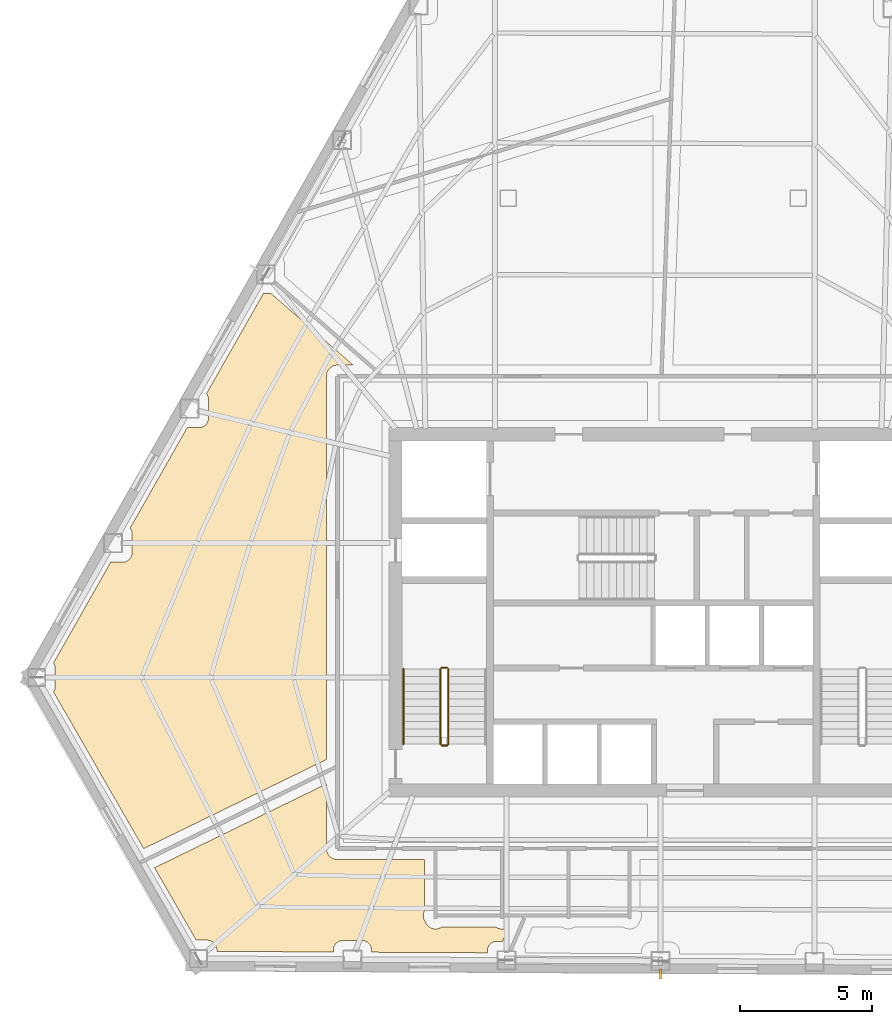
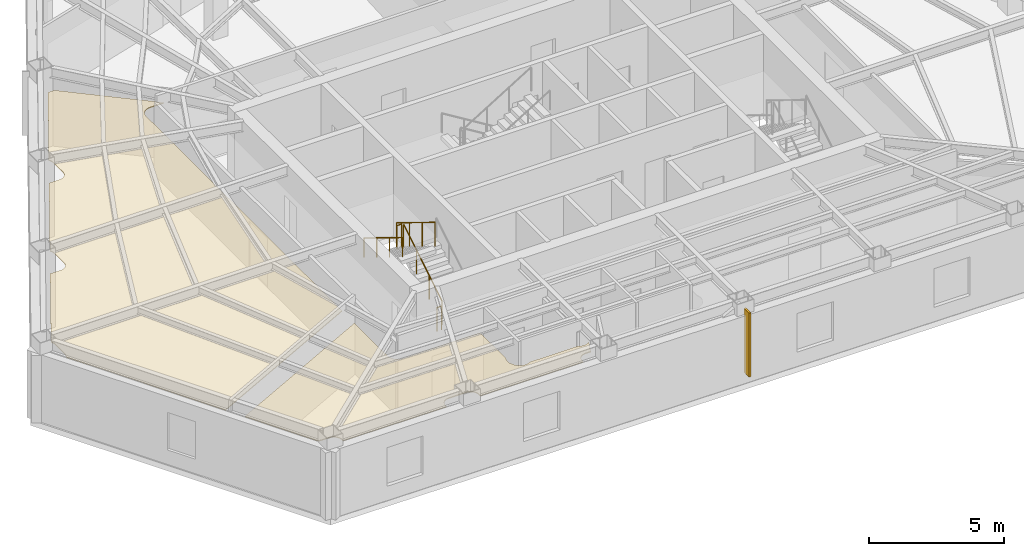
# One storey, part 10 of 12: 5 railings, 2 coverings, 1 shading device.
"""IFC4 building model written with IfcOpenShell, lengths in metres."""

from ifc_helpers import new_model, si_unit, direction, frame, origin, origin_2d, place, context, subcontext, project, spatial, polyline, rectangle, circle, outline, extrude, material, layer, layer_set, type_object, element, save


model = new_model("IFC4")

# Units and contexts
model_context = context("Model", 3, precision=1e-05, world=origin(), true_north=direction((0.0, 1.0)))
body_context = subcontext(model_context, "Body", "Model", "MODEL_VIEW")
ifc_project = project(units=[si_unit("LENGTHUNIT", "METRE"), si_unit("AREAUNIT", "SQUARE_METRE"), si_unit("VOLUMEUNIT", "CUBIC_METRE"), si_unit("PLANEANGLEUNIT", "RADIAN"), si_unit("MASSUNIT", "GRAM", prefix="KILO")], contexts=[model_context])

# Site, building, storey
site_placement = place(None, origin())
site = spatial("IfcSite", under=ifc_project, at=site_placement, CompositionType="ELEMENT")
building_placement = place(site_placement, origin())
building = spatial("IfcBuilding", under=site, at=building_placement, Name="Kavelnor Concourse Tower", CompositionType="ELEMENT")
storey_placement = place(building_placement, frame((0.0, 0.0, 104.75)))
storey = spatial("IfcBuildingStorey", under=building, at=storey_placement, Name="L26", CompositionType="ELEMENT", Elevation=104.75)

# Coverings
ifc_material_1 = material(Name="Mineral fibre acoustic ceiling tile")
ifc_layer_1 = layer(ifc_material_1, 0.0400390625, Name="Mineral fibre acoustic ceiling tile")
ifc_layer_set_1 = layer_set([ifc_layer_1], Name="Mineral fibre acoustic ceiling tile")
covering_type = type_object("IfcCoveringType", Name="COV-CEILING-ACOUSTIC", PredefinedType="CEILING", material=ifc_layer_set_1)
covering_1_placement = place(storey_placement, frame((0.0, 0.0, 2.75)))
element("IfcCovering", 1, at=covering_1_placement, inside=storey, type_object=covering_type, Name="L26 Suspended Acoustic Ceiling", PredefinedType="CEILING", context=body_context, shape_type="SweptSolid", body=[
    extrude(outline(polyline([(17.43115234375, 18.002685546875), (17.88623046875, 18.002685546875), (17.913330078125, 18.00390625), (17.9482421875, 18.00927734375), (17.982666015625, 18.017822265625), (18.015869140625, 18.02978515625), (18.0478515625, 18.044921875), (18.078125, 18.06298828125), (18.106689453125, 18.083984375), (18.1328125, 18.10791015625), (18.156494140625, 18.134033203125), (18.177734375, 18.16259765625), (18.19580078125, 18.19287109375), (18.2109375, 18.224853515625), (18.222900390625, 18.258056640625), (18.2314453125, 18.29248046875), (18.23681640625, 18.327392578125), (18.238037109375, 18.3544921875), (18.238037109375, 19.091064453125), (18.23681640625, 19.117919921875), (18.2314453125, 19.153076171875), (18.222900390625, 19.187255859375), (18.2109375, 19.220703125), (18.19580078125, 19.252685546875), (18.177734375, 19.282958984375), (18.166748046875, 19.2978515625), (20.32568359375, 23.09912109375), (20.781005859375, 23.09912109375), (20.807861328125, 23.100341796875), (20.843017578125, 23.105712890625), (20.877197265625, 23.1142578125), (20.910400390625, 23.126220703125), (20.9423828125, 23.14111328125), (20.972900390625, 23.159423828125), (21.001220703125, 23.180419921875), (21.02734375, 23.204345703125), (21.05126953125, 23.23046875), (21.072265625, 23.2587890625), (21.090576171875, 23.289306640625), (21.105712890625, 23.3212890625), (21.117431640625, 23.3544921875), (21.126220703125, 23.388916015625), (21.13134765625, 23.423828125), (21.132568359375, 23.45068359375), (21.132568359375, 24.1875), (21.13134765625, 24.21435546875), (21.126220703125, 24.24951171875), (21.117431640625, 24.28369140625), (21.105712890625, 24.31689453125), (21.090576171875, 24.34912109375), (21.072265625, 24.37939453125), (21.061279296875, 24.394287109375), (23.22021484375, 28.1953125), (23.501220703125, 28.1953125), (26.623046875, 25.472412109375), (26.021728515625, 25.472412109375), (25.988525390625, 25.470947265625), (25.947509765625, 25.46484375), (25.9072265625, 25.45458984375), (25.8681640625, 25.440673828125), (25.83056640625, 25.423095703125), (25.794921875, 25.401611328125), (25.76171875, 25.376953125), (25.73095703125, 25.34912109375), (25.703125, 25.318359375), (25.678466796875, 25.284912109375), (25.656982421875, 25.24951171875), (25.639404296875, 25.2119140625), (25.625244140625, 25.1728515625), (25.615234375, 25.132568359375), (25.609130859375, 25.091552734375), (25.607421875, 25.058349609375), (25.607421875, 10.517578125), (18.6767578125, 7.13720703125), (15.259765625, 13.08154296875), (15.26318359375, 13.086181640625), (15.281494140625, 13.116455078125), (15.29638671875, 13.1484375), (15.308349609375, 13.181884765625), (15.31689453125, 13.216064453125), (15.322265625, 13.251220703125), (15.323486328125, 13.278076171875), (15.323486328125, 13.974609375), (15.322265625, 14.001708984375), (15.31689453125, 14.03662109375), (15.308349609375, 14.071044921875), (15.29638671875, 14.104248046875), (15.281494140625, 14.13623046875), (15.26318359375, 14.16650390625), (15.257080078125, 14.1748046875), (17.43115234375, 18.002685546875)])), origin(), (0.0, 0.0, 1.0), 0.0400390625),
])
covering_2_placement = place(storey_placement, frame((0.0, 0.0, 2.75)))
element("IfcCovering", 2, at=covering_2_placement, inside=storey, type_object=covering_type, Name="L26 Suspended Acoustic Ceiling", PredefinedType="CEILING", context=body_context, shape_type="SweptSolid", body=[
    extrude(outline(polyline([(25.609130859375, 7.1083984375), (25.615234375, 7.0673828125), (25.625244140625, 7.027099609375), (25.639404296875, 6.98828125), (25.656982421875, 6.95068359375), (25.678466796875, 6.9150390625), (25.703125, 6.881591796875), (25.73095703125, 6.85107421875), (25.76171875, 6.822998046875), (25.794921875, 6.79833984375), (25.83056640625, 6.777099609375), (25.8681640625, 6.75927734375), (25.9072265625, 6.745361328125), (25.947509765625, 6.735107421875), (25.988525390625, 6.72900390625), (26.021728515625, 6.7275390625), (29.3349609375, 6.7275390625), (29.3349609375, 4.79541015625), (29.33251953125, 4.791015625), (29.3154296875, 4.755126953125), (29.302001953125, 4.7177734375), (29.29248046875, 4.67919921875), (29.28662109375, 4.6396484375), (29.28466796875, 4.60009765625), (29.28662109375, 4.560302734375), (29.29248046875, 4.52099609375), (29.302001953125, 4.482421875), (29.3154296875, 4.44482421875), (29.33251953125, 4.408935546875), (29.352783203125, 4.374755859375), (29.3564453125, 4.3701171875), (29.365478515625, 4.344970703125), (29.382568359375, 4.308837890625), (29.40283203125, 4.27490234375), (29.426513671875, 4.242919921875), (29.453369140625, 4.21337890625), (29.48291015625, 4.1865234375), (29.514892578125, 4.162841796875), (29.548828125, 4.142578125), (29.5849609375, 4.12548828125), (29.622314453125, 4.112060546875), (29.660888671875, 4.102294921875), (29.7001953125, 4.096435546875), (29.739990234375, 4.094482421875), (29.77978515625, 4.096435546875), (29.819091796875, 4.102294921875), (29.857666015625, 4.112060546875), (29.89501953125, 4.12548828125), (29.93115234375, 4.142578125), (29.96044921875, 4.159912109375), (32.03955078125, 4.159912109375), (32.06884765625, 4.142578125), (32.10498046875, 4.12548828125), (32.142333984375, 4.112060546875), (32.180908203125, 4.102294921875), (32.22021484375, 4.096435546875), (32.260009765625, 4.094482421875), (32.2998046875, 4.096435546875), (32.339111328125, 4.102294921875), (32.377685546875, 4.112060546875), (32.4150390625, 4.12548828125), (32.451171875, 4.142578125), (32.48046875, 4.159912109375), (32.51171875, 4.159912109375), (32.28662109375, 3.626220703125), (32.06494140625, 3.626220703125), (32.037841796875, 3.625), (32.0029296875, 3.61962890625), (31.968505859375, 3.611083984375), (31.935302734375, 3.59912109375), (31.9033203125, 3.583984375), (31.873046875, 3.56591796875), (31.844482421875, 3.544921875), (31.818359375, 3.52099609375), (31.794677734375, 3.494873046875), (31.7734375, 3.46630859375), (31.75537109375, 3.43603515625), (31.740234375, 3.404052734375), (31.728271484375, 3.370849609375), (31.7197265625, 3.33642578125), (31.714599609375, 3.301513671875), (31.713134765625, 3.2744140625), (31.713134765625, 3.18994140625), (27.312255859375, 3.212646484375), (27.312255859375, 3.3046875), (27.310791015625, 3.331787109375), (27.3056640625, 3.36669921875), (27.297119140625, 3.401123046875), (27.28515625, 3.434326171875), (27.27001953125, 3.46630859375), (27.251953125, 3.49658203125), (27.230712890625, 3.525146484375), (27.20703125, 3.55126953125), (27.180908203125, 3.5751953125), (27.15234375, 3.59619140625), (27.1220703125, 3.614501953125), (27.090087890625, 3.62939453125), (27.056884765625, 3.641357421875), (27.0224609375, 3.64990234375), (26.987548828125, 3.6552734375), (26.96044921875, 3.656494140625), (26.223876953125, 3.656494140625), (26.197021484375, 3.6552734375), (26.161865234375, 3.64990234375), (26.127685546875, 3.641357421875), (26.09423828125, 3.62939453125), (26.062255859375, 3.614501953125), (26.031982421875, 3.59619140625), (26.003662109375, 3.5751953125), (25.977294921875, 3.55126953125), (25.95361328125, 3.525146484375), (25.9326171875, 3.49658203125), (25.914306640625, 3.46630859375), (25.899169921875, 3.434326171875), (25.88720703125, 3.401123046875), (25.878662109375, 3.36669921875), (25.87353515625, 3.331787109375), (25.872314453125, 3.3046875), (25.872314453125, 3.22021484375), (21.451171875, 3.2431640625), (21.451171875, 3.315185546875), (21.449951171875, 3.342041015625), (21.444580078125, 3.377197265625), (21.43603515625, 3.411376953125), (21.42431640625, 3.444580078125), (21.4091796875, 3.476806640625), (21.390869140625, 3.507080078125), (21.369873046875, 3.535400390625), (21.345947265625, 3.5615234375), (21.31982421875, 3.58544921875), (21.29150390625, 3.6064453125), (21.260986328125, 3.624755859375), (21.22900390625, 3.639892578125), (21.19580078125, 3.651611328125), (21.16162109375, 3.660400390625), (21.12646484375, 3.66552734375), (21.099609375, 3.666748046875), (20.671630859375, 3.666748046875), (19.09130859375, 6.416015625), (25.607421875, 9.593994140625), (25.607421875, 7.1416015625), (25.609130859375, 7.1083984375)])), origin(), (0.0, 0.0, 1.0), 0.0400390625),
])

# Railings
ifc_material_2 = material(Name="Steel Grade 350", Category="steel")
railing_type_1 = type_object("IfcRailingType", Name="RLG-GUARD-1100", PredefinedType="GUARDRAIL", material=ifc_material_2)
railing_1_placement = place(storey_placement, frame((30.22998046875, 11.10009765625, 0.175048828125)))
element("IfcRailing", 3, at=railing_1_placement, inside=storey, type_object=railing_type_1, Name="L26 ST1 stair guard 1", PredefinedType="GUARDRAIL", context=body_context, shape_type="SweptSolid", body=[
    extrude(circle(Radius=0.02392578125, at=origin_2d()), frame((0.0, 0.0, 1.076171875), z_axis=(0.0, 0.852159232446, 0.523282564737), x_axis=(-1.0, 0.0, 0.0)), (0.0, 0.0, 1.0), 3.34423828125),
    extrude(circle(Radius=0.02099609375, at=origin_2d()), origin(), (0.0, 0.0, 1.0), 1.052001953125),
    extrude(circle(Radius=0.02099609375, at=origin_2d()), frame((0.0, 0.949951171875, 0.583251953125)), (0.0, 0.0, 1.0), 1.052001953125),
    extrude(circle(Radius=0.02099609375, at=origin_2d()), frame((0.0, 1.89990234375, 1.166748046875)), (0.0, 0.0, 1.0), 1.052001953125),
    extrude(circle(Radius=0.02099609375, at=origin_2d()), frame((0.0, 2.849853515625, 1.75)), (0.0, 0.0, 1.0), 1.052001953125),
])
railing_2_placement = place(storey_placement, frame((30.179931640625, 14.0, 1.925048828125)))
element("IfcRailing", 4, at=railing_2_placement, inside=storey, type_object=railing_type_1, Name="L26 ST1 stair guard 2", PredefinedType="GUARDRAIL", context=body_context, shape_type="SweptSolid", body=[
    extrude(circle(Radius=0.02392578125, at=origin_2d()), frame((0.0, 0.0, 1.076171875), z_axis=(-1.0, 0.0, 0.0), x_axis=(0.0, -1.0, 0.0)), (0.0, 0.0, 1.0), 0.199951171875),
    extrude(circle(Radius=0.02099609375, at=origin_2d()), origin(), (0.0, 0.0, 1.0), 1.052001953125),
    extrude(circle(Radius=0.02099609375, at=origin_2d()), frame((-0.199951171875, 0.0, 0.0)), (0.0, 0.0, 1.0), 1.052001953125),
])
railing_3_placement = place(storey_placement, frame((29.929931640625, 13.949951171875, 2.10009765625)))
element("IfcRailing", 5, at=railing_3_placement, inside=storey, type_object=railing_type_1, Name="L26 ST1 stair guard 3", PredefinedType="GUARDRAIL", context=body_context, shape_type="SweptSolid", body=[
    extrude(circle(Radius=0.02392578125, at=origin_2d()), frame((0.0, 0.0, 1.076171875), z_axis=(0.0, -0.852159232446, 0.523282564737), x_axis=(1.0, 0.0, 0.0)), (0.0, 0.0, 1.0), 3.34423828125),
    extrude(circle(Radius=0.02099609375, at=origin_2d()), origin(), (0.0, 0.0, 1.0), 1.052001953125),
    extrude(circle(Radius=0.02099609375, at=origin_2d()), frame((0.0, -0.949951171875, 0.583251953125)), (0.0, 0.0, 1.0), 1.052001953125),
    extrude(circle(Radius=0.02099609375, at=origin_2d()), frame((0.0, -1.89990234375, 1.166748046875)), (0.0, 0.0, 1.0), 1.052001953125),
    extrude(circle(Radius=0.02099609375, at=origin_2d()), frame((0.0, -2.849853515625, 1.75)), (0.0, 0.0, 1.0), 1.052001953125),
])
railing_4_placement = place(storey_placement, frame((30.179931640625, 11.050048828125, 0.0)))
element("IfcRailing", 6, at=railing_4_placement, inside=storey, type_object=railing_type_1, Name="L26 ST1 stair guard 4", PredefinedType="GUARDRAIL", context=body_context, shape_type="SweptSolid", body=[
    extrude(circle(Radius=0.02392578125, at=origin_2d()), frame((0.0, 0.0, 1.076171875), z_axis=(-1.0, 0.0, 0.0), x_axis=(0.0, -1.0, 0.0)), (0.0, 0.0, 1.0), 0.199951171875),
    extrude(circle(Radius=0.02099609375, at=origin_2d()), origin(), (0.0, 0.0, 1.0), 1.052001953125),
    extrude(circle(Radius=0.02099609375, at=origin_2d()), frame((-0.199951171875, 0.0, 0.0)), (0.0, 0.0, 1.0), 1.052001953125),
])
railing_type_2 = type_object("IfcRailingType", Name="RLG-HANDRAIL-900", PredefinedType="HANDRAIL", material=ifc_material_2)
railing_5_placement = place(storey_placement, frame((28.530029296875, 13.949951171875, 2.10009765625)))
element("IfcRailing", 7, at=railing_5_placement, inside=storey, type_object=railing_type_2, Name="L26 ST1 stair handrail 2", PredefinedType="HANDRAIL", context=body_context, shape_type="SweptSolid", body=[
    extrude(circle(Radius=0.02392578125, at=origin_2d()), frame((0.0, 0.0, 0.8759765625), z_axis=(0.0, -0.852159232446, 0.523282564737), x_axis=(1.0, 0.0, 0.0)), (0.0, 0.0, 1.0), 3.34423828125),
    extrude(circle(Radius=0.02099609375, at=origin_2d()), origin(), (0.0, 0.0, 1.0), 0.851806640625),
    extrude(circle(Radius=0.02099609375, at=origin_2d()), frame((0.0, -0.949951171875, 0.583251953125)), (0.0, 0.0, 1.0), 0.851806640625),
    extrude(circle(Radius=0.02099609375, at=origin_2d()), frame((0.0, -1.89990234375, 1.166748046875)), (0.0, 0.0, 1.0), 0.851806640625),
    extrude(circle(Radius=0.02099609375, at=origin_2d()), frame((0.0, -2.849853515625, 1.75)), (0.0, 0.0, 1.0), 0.851806640625),
])

# Shading device
ifc_material_3 = material(Name="Architectural bronze-anodised aluminium", Category="aluminium")
ifc_layer_2 = layer(ifc_material_3, 0.06005859375, Name="Architectural bronze-anodised aluminium")
ifc_layer_set_2 = layer_set([ifc_layer_2], Name="Architectural bronze-anodised aluminium")
shading_device_type = type_object("IfcShadingDeviceType", Name="SHD-SOLAR-FIN", PredefinedType="JALOUSIE", material=ifc_layer_set_2)
shading_device_placement = place(storey_placement, frame((38.271728515625, 2.3857421875, 0.400146484375), z_axis=(0.0, 0.0, 1.0), x_axis=(-0.005235963831, -0.999986292247, 0.0)))
element("IfcShadingDevice", 8, at=shading_device_placement, inside=storey, type_object=shading_device_type, Name="L26 Bronze Pier Solar Fin F1", PredefinedType="JALOUSIE", context=body_context, shape_type="SweptSolid", body=[
    extrude(rectangle(XDim=0.3798828125, YDim=0.080078125, at=origin_2d()), origin(), (0.0, 0.0, 1.0), 2.89990234375),
])

save(model, "model.ifc")
